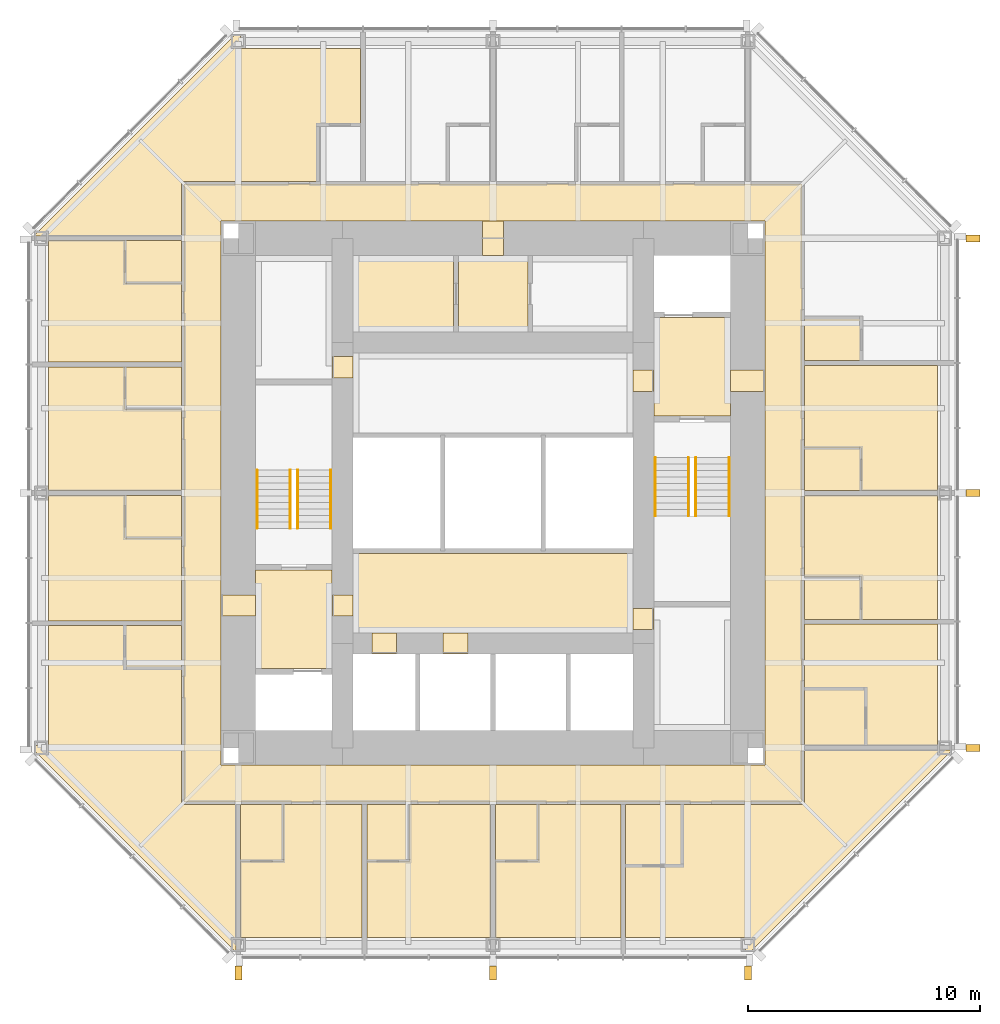
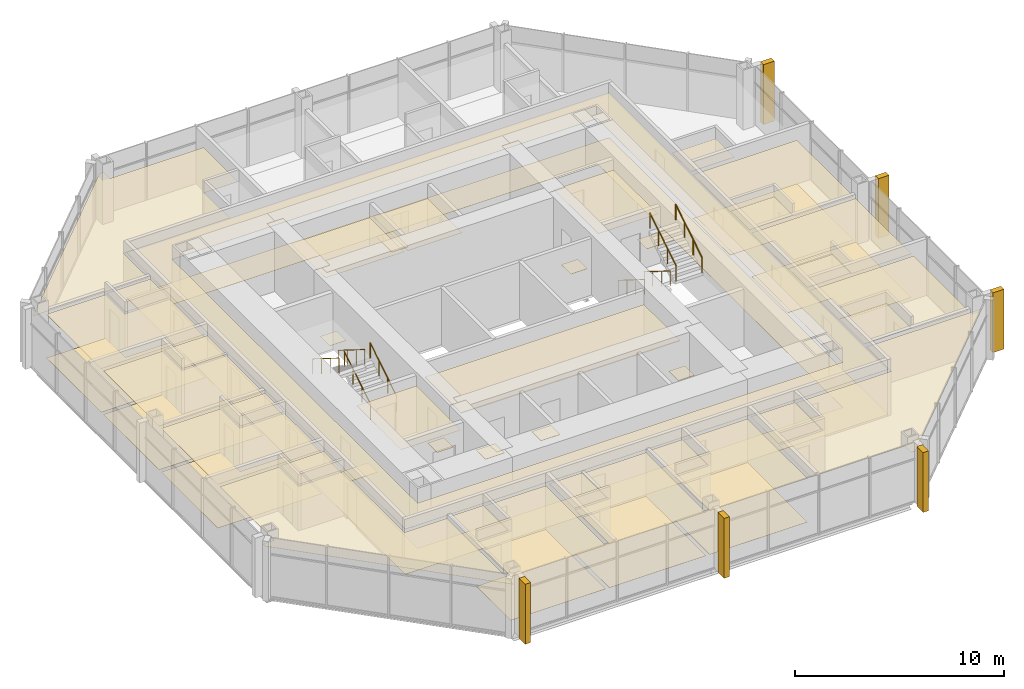
# One storey, part 11 of 12: 54 coverings, 8 railings.
"""IFC4 building model written with IfcOpenShell, lengths in metres."""

from ifc_helpers import new_model, si_unit, direction, frame, origin, origin_2d, place, context, subcontext, project, spatial, polyline, rectangle, circle, outline, extrude, material, layer, layer_set, type_object, element, save


model = new_model("IFC4")

# Units and contexts
model_context = context("Model", 3, precision=1e-05, world=origin(), true_north=direction((0.0, 1.0)))
body_context = subcontext(model_context, "Body", "Model", "MODEL_VIEW")
ifc_project = project(units=[si_unit("LENGTHUNIT", "METRE"), si_unit("AREAUNIT", "SQUARE_METRE"), si_unit("VOLUMEUNIT", "CUBIC_METRE"), si_unit("PLANEANGLEUNIT", "RADIAN"), si_unit("MASSUNIT", "GRAM", prefix="KILO")], contexts=[model_context])

# Site, building, storey
site_placement = place(None, origin())
site = spatial("IfcSite", under=ifc_project, at=site_placement, CompositionType="ELEMENT")
building_placement = place(site_placement, origin())
building = spatial("IfcBuilding", under=site, at=building_placement, Name="Trevanion Tower", CompositionType="ELEMENT")
storey_placement = place(building_placement, frame((0.0, 0.0, 197.699951171875)))
storey = spatial("IfcBuildingStorey", under=building, at=storey_placement, Name="L46", CompositionType="ELEMENT", Elevation=197.699951171875)

# Coverings
ifc_material_1 = material(Name="Fibrous plaster coffers on suspended steel grid", Category="steel")
ifc_layer_1 = layer(ifc_material_1, 0.050048828125)
ifc_layer_set_1 = layer_set([ifc_layer_1], Name="CL1 coffered fibrous plaster ceiling 50")
covering_type_1 = type_object("IfcCoveringType", Name="CL1 coffered fibrous plaster ceiling 50", PredefinedType="CEILING", material=ifc_layer_set_1)
covering_1_placement = place(storey_placement, frame((0.0, 0.0, 2.429931640625)))
element("IfcCovering", 1, at=covering_1_placement, inside=storey, type_object=covering_type_1, Name="CL1 L46-LBS", PredefinedType="CEILING", context=body_context, shape_type="SweptSolid", body=[
    extrude(outline(polyline([(6.050048828125, -6.050048828125), (6.050048828125, -2.60009765625), (-6.050048828125, -2.60009765625), (-6.050048828125, -6.050048828125), (6.050048828125, -6.050048828125)])), origin(), (0.0, 0.0, 1.0), 0.050048828125),
])
ifc_material_2 = material(Name="Mineral fibre acoustic tiles in exposed grid", Category="mineral fibre")
ifc_layer_2 = layer(ifc_material_2, 0.02001953125)
ifc_layer_set_2 = layer_set([ifc_layer_2], Name="CL2 acoustic tile ceiling 20")
covering_type_2 = type_object("IfcCoveringType", Name="CL2 acoustic tile ceiling 20", PredefinedType="CEILING", material=ifc_layer_set_2)
covering_2_placement = place(storey_placement, frame((0.0, 0.0, 2.4599609375)))
element("IfcCovering", 2, at=covering_2_placement, inside=storey, type_object=covering_type_2, Name="CL2 L46-HKC", PredefinedType="CEILING", context=body_context, shape_type="SweptSolid", body=[
    extrude(outline(polyline([(1.5, 6.949951171875), (1.5, 10.25), (-1.5, 10.25), (-1.5, 6.949951171875), (1.5, 6.949951171875)])), origin(), (0.0, 0.0, 1.0), 0.02001953125),
])
covering_3_placement = place(storey_placement, frame((0.0, 0.0, 2.633056640625)))
element("IfcCovering", 3, at=covering_3_placement, inside=storey, type_object=covering_type_2, Name="CL2 L46-CO", PredefinedType="CEILING", context=body_context, shape_type="SweptSolid", body=[
    extrude(outline(polyline([(-13.35009765625, -13.35009765625), (-13.35009765625, 13.35009765625), (13.35009765625, 13.35009765625), (13.35009765625, -13.35009765625), (-13.35009765625, -13.35009765625)]), holes=[polyline([(11.75, 11.75), (-11.75, 11.75), (-11.75, -11.75), (11.75, -11.75), (11.75, 11.75)])]), origin(), (0.0, 0.0, 1.0), 0.02001953125),
])
ifc_material_3 = material(Name="Gypsum plasterboard on suspended metal furring", Category="gypsum")
ifc_layer_3 = layer(ifc_material_3, 0.012939453125)
ifc_layer_set_3 = layer_set([ifc_layer_3], Name="CL3 plasterboard ceiling 13")
covering_type_3 = type_object("IfcCoveringType", Name="CL3 plasterboard ceiling 13", PredefinedType="CEILING", material=ifc_layer_set_3)
covering_4_placement = place(storey_placement, frame((0.0, 0.0, 2.699951171875)))
element("IfcCovering", 4, at=covering_4_placement, inside=storey, type_object=covering_type_3, Name="CL3 L46-FV1", PredefinedType="CEILING", context=body_context, shape_type="SweptSolid", body=[
    extrude(outline(polyline([(10.25, 3.324951171875), (10.25, 7.574951171875), (6.949951171875, 7.574951171875), (6.949951171875, 3.324951171875), (10.25, 3.324951171875)])), origin(), (0.0, 0.0, 1.0), 0.01318359375),
])
covering_5_placement = place(storey_placement, frame((0.0, 0.0, 2.699951171875)))
element("IfcCovering", 5, at=covering_5_placement, inside=storey, type_object=covering_type_3, Name="CL3 L46-FV2", PredefinedType="CEILING", context=body_context, shape_type="SweptSolid", body=[
    extrude(outline(polyline([(-10.25, -3.324951171875), (-10.25, -7.574951171875), (-6.949951171875, -7.574951171875), (-6.949951171875, -3.324951171875), (-10.25, -3.324951171875)])), origin(), (0.0, 0.0, 1.0), 0.01318359375),
])
covering_6_placement = place(storey_placement, frame((0.0, 0.0, 2.551025390625)))
element("IfcCovering", 6, at=covering_6_placement, inside=storey, type_object=covering_type_3, Name="CL3 L46-GA", PredefinedType="CEILING", context=body_context, shape_type="SweptSolid", body=[
    extrude(outline(polyline([(13.449951171875, -5.64892578125), (19.199951171875, -5.64892578125), (19.199951171875, -10.89990234375), (16.10009765625, -10.89990234375), (16.10009765625, -8.449951171875), (13.449951171875, -8.449951171875), (13.449951171875, -5.64892578125)])), origin(), (0.0, 0.0, 1.0), 0.012939453125),
])
covering_7_placement = place(storey_placement, frame((0.0, 0.0, 2.551025390625)))
element("IfcCovering", 7, at=covering_7_placement, inside=storey, type_object=covering_type_3, Name="CL3 L46-GR", PredefinedType="CEILING", context=body_context, shape_type="SweptSolid", body=[
    extrude(outline(polyline([(13.449951171875, -0.10009765625), (19.199951171875, -0.10009765625), (19.199951171875, -5.448974609375), (15.89990234375, -5.448974609375), (15.89990234375, -3.59912109375), (13.449951171875, -3.59912109375), (13.449951171875, -0.10009765625)])), origin(), (0.0, 0.0, 1.0), 0.012939453125),
])
covering_8_placement = place(storey_placement, frame((0.0, 0.0, 2.551025390625)))
element("IfcCovering", 8, at=covering_8_placement, inside=storey, type_object=covering_type_3, Name="CL3 L46-GR2", PredefinedType="CEILING", context=body_context, shape_type="SweptSolid", body=[
    extrude(outline(polyline([(13.449951171875, 5.513916015625), (19.199951171875, 5.513916015625), (19.199951171875, 0.10009765625), (15.89990234375, 0.10009765625), (15.89990234375, 1.949951171875), (13.449951171875, 1.949951171875), (13.449951171875, 5.513916015625)])), origin(), (0.0, 0.0, 1.0), 0.012939453125),
])
covering_9_placement = place(storey_placement, frame((0.0, 0.0, 2.551025390625)))
element("IfcCovering", 9, at=covering_9_placement, inside=storey, type_object=covering_type_3, Name="CL3 L46-GR7", PredefinedType="CEILING", context=body_context, shape_type="SweptSolid", body=[
    extrude(outline(polyline([(-13.449951171875, 11.10009765625), (-19.800048828125, 11.10009765625), (-19.800048828125, 11.124267578125), (-11.124267578125, 19.800048828125), (-10.89990234375, 19.800048828125), (-10.89990234375, 19.199951171875), (-5.714111328125, 19.199951171875), (-5.714111328125, 15.89990234375), (-7.56396484375, 15.89990234375), (-7.56396484375, 13.449951171875), (-13.449951171875, 13.449951171875), (-13.449951171875, 11.10009765625)])), origin(), (0.0, 0.0, 1.0), 0.012939453125),
])
covering_10_placement = place(storey_placement, frame((0.0, 0.0, 2.551025390625)))
element("IfcCovering", 10, at=covering_10_placement, inside=storey, type_object=covering_type_3, Name="CL3 L46-GR8", PredefinedType="CEILING", context=body_context, shape_type="SweptSolid", body=[
    extrude(outline(polyline([(-13.449951171875, 5.64892578125), (-19.199951171875, 5.64892578125), (-19.199951171875, 10.89990234375), (-15.89990234375, 10.89990234375), (-15.89990234375, 9.050048828125), (-13.449951171875, 9.050048828125), (-13.449951171875, 5.64892578125)])), origin(), (0.0, 0.0, 1.0), 0.012939453125),
])
covering_11_placement = place(storey_placement, frame((0.0, 0.0, 2.551025390625)))
element("IfcCovering", 11, at=covering_11_placement, inside=storey, type_object=covering_type_3, Name="CL3 L46-GR9", PredefinedType="CEILING", context=body_context, shape_type="SweptSolid", body=[
    extrude(outline(polyline([(-13.449951171875, 0.10009765625), (-19.199951171875, 0.10009765625), (-19.199951171875, 5.448974609375), (-15.89990234375, 5.448974609375), (-15.89990234375, 3.59912109375), (-13.449951171875, 3.59912109375), (-13.449951171875, 0.10009765625)])), origin(), (0.0, 0.0, 1.0), 0.012939453125),
])
covering_12_placement = place(storey_placement, frame((0.0, 0.0, 2.551025390625)))
element("IfcCovering", 12, at=covering_12_placement, inside=storey, type_object=covering_type_3, Name="CL3 L46-GR10", PredefinedType="CEILING", context=body_context, shape_type="SweptSolid", body=[
    extrude(outline(polyline([(-13.449951171875, -5.513916015625), (-19.199951171875, -5.513916015625), (-19.199951171875, -0.10009765625), (-15.89990234375, -0.10009765625), (-15.89990234375, -1.949951171875), (-13.449951171875, -1.949951171875), (-13.449951171875, -5.513916015625)])), origin(), (0.0, 0.0, 1.0), 0.012939453125),
])
covering_13_placement = place(storey_placement, frame((0.0, 0.0, 2.551025390625)))
element("IfcCovering", 13, at=covering_13_placement, inside=storey, type_object=covering_type_3, Name="CL3 L46-GR11", PredefinedType="CEILING", context=body_context, shape_type="SweptSolid", body=[
    extrude(outline(polyline([(-11.10009765625, -13.449951171875), (-11.10009765625, -19.800048828125), (-11.124267578125, -19.800048828125), (-19.800048828125, -11.124267578125), (-19.800048828125, -10.89990234375), (-19.199951171875, -10.89990234375), (-19.199951171875, -5.714111328125), (-15.89990234375, -5.714111328125), (-15.89990234375, -7.56396484375), (-13.449951171875, -7.56396484375), (-13.449951171875, -13.449951171875), (-11.10009765625, -13.449951171875)])), origin(), (0.0, 0.0, 1.0), 0.012939453125),
])
covering_14_placement = place(storey_placement, frame((0.0, 0.0, 2.551025390625)))
element("IfcCovering", 14, at=covering_14_placement, inside=storey, type_object=covering_type_3, Name="CL3 L46-GR12", PredefinedType="CEILING", context=body_context, shape_type="SweptSolid", body=[
    extrude(outline(polyline([(-5.64892578125, -13.449951171875), (-5.64892578125, -19.199951171875), (-10.89990234375, -19.199951171875), (-10.89990234375, -15.89990234375), (-9.050048828125, -15.89990234375), (-9.050048828125, -13.449951171875), (-5.64892578125, -13.449951171875)])), origin(), (0.0, 0.0, 1.0), 0.012939453125),
])
covering_15_placement = place(storey_placement, frame((0.0, 0.0, 2.551025390625)))
element("IfcCovering", 15, at=covering_15_placement, inside=storey, type_object=covering_type_3, Name="CL3 L46-GR13", PredefinedType="CEILING", context=body_context, shape_type="SweptSolid", body=[
    extrude(outline(polyline([(-0.10009765625, -13.449951171875), (-0.10009765625, -19.199951171875), (-5.448974609375, -19.199951171875), (-5.448974609375, -15.89990234375), (-3.59912109375, -15.89990234375), (-3.59912109375, -13.449951171875), (-0.10009765625, -13.449951171875)])), origin(), (0.0, 0.0, 1.0), 0.012939453125),
])
covering_16_placement = place(storey_placement, frame((0.0, 0.0, 2.551025390625)))
element("IfcCovering", 16, at=covering_16_placement, inside=storey, type_object=covering_type_3, Name="CL3 L46-GR14", PredefinedType="CEILING", context=body_context, shape_type="SweptSolid", body=[
    extrude(outline(polyline([(5.513916015625, -13.449951171875), (5.513916015625, -19.199951171875), (0.10009765625, -19.199951171875), (0.10009765625, -15.89990234375), (1.949951171875, -15.89990234375), (1.949951171875, -13.449951171875), (5.513916015625, -13.449951171875)])), origin(), (0.0, 0.0, 1.0), 0.012939453125),
])
covering_17_placement = place(storey_placement, frame((0.0, 0.0, 2.551025390625)))
element("IfcCovering", 17, at=covering_17_placement, inside=storey, type_object=covering_type_3, Name="CL3 L46-GA2", PredefinedType="CEILING", context=body_context, shape_type="SweptSolid", body=[
    extrude(outline(polyline([(13.449951171875, -11.10009765625), (19.800048828125, -11.10009765625), (19.800048828125, -11.124267578125), (11.124267578125, -19.800048828125), (10.89990234375, -19.800048828125), (10.89990234375, -19.199951171875), (5.714111328125, -19.199951171875), (5.714111328125, -16.10009765625), (8.1640625, -16.10009765625), (8.1640625, -13.449951171875), (13.449951171875, -13.449951171875), (13.449951171875, -11.10009765625)])), origin(), (0.0, 0.0, 1.0), 0.012939453125),
])
ifc_material_4 = material(Name="Moisture-resistant gypsum board on suspended metal furring", Category="gypsum")
ifc_layer_4 = layer(ifc_material_4, 0.01611328125)
ifc_layer_set_4 = layer_set([ifc_layer_4], Name="CL4 moisture-resistant board ceiling 16")
covering_type_4 = type_object("IfcCoveringType", Name="CL4 moisture-resistant board ceiling 16", PredefinedType="CEILING", material=ifc_layer_set_4)
covering_18_placement = place(storey_placement, frame((0.0, 0.0, 2.464111328125)))
element("IfcCovering", 18, at=covering_18_placement, inside=storey, type_object=covering_type_4, Name="CL4 L46-HK", PredefinedType="CEILING", context=body_context, shape_type="SweptSolid", body=[
    extrude(outline(polyline([(-1.699951171875, 6.949951171875), (-1.699951171875, 10.25), (-6.050048828125, 10.25), (-6.050048828125, 6.949951171875), (-1.699951171875, 6.949951171875)])), origin(), (0.0, 0.0, 1.0), 0.015869140625),
])
covering_19_placement = place(storey_placement, frame((0.0, 0.0, 2.60009765625)))
element("IfcCovering", 19, at=covering_19_placement, inside=storey, type_object=covering_type_4, Name="CL4 L46-EN", PredefinedType="CEILING", context=body_context, shape_type="SweptSolid", body=[
    extrude(outline(polyline([(16.050048828125, -10.89990234375), (16.050048828125, -8.5), (13.449951171875, -8.5), (13.449951171875, -10.89990234375), (16.050048828125, -10.89990234375)])), origin(), (0.0, 0.0, 1.0), 0.015869140625),
])
covering_20_placement = place(storey_placement, frame((0.0, 0.0, 2.60009765625)))
element("IfcCovering", 20, at=covering_20_placement, inside=storey, type_object=covering_type_4, Name="CL4 L46-EN2", PredefinedType="CEILING", context=body_context, shape_type="SweptSolid", body=[
    extrude(outline(polyline([(15.85009765625, -5.448974609375), (15.85009765625, -3.64892578125), (13.449951171875, -3.64892578125), (13.449951171875, -5.448974609375), (15.85009765625, -5.448974609375)])), origin(), (0.0, 0.0, 1.0), 0.015869140625),
])
covering_21_placement = place(storey_placement, frame((0.0, 0.0, 2.60009765625)))
element("IfcCovering", 21, at=covering_21_placement, inside=storey, type_object=covering_type_4, Name="CL4 L46-EN3", PredefinedType="CEILING", context=body_context, shape_type="SweptSolid", body=[
    extrude(outline(polyline([(15.85009765625, 0.10009765625), (15.85009765625, 1.89990234375), (13.449951171875, 1.89990234375), (13.449951171875, 0.10009765625), (15.85009765625, 0.10009765625)])), origin(), (0.0, 0.0, 1.0), 0.015869140625),
])
covering_22_placement = place(storey_placement, frame((0.0, 0.0, 2.60009765625)))
element("IfcCovering", 22, at=covering_22_placement, inside=storey, type_object=covering_type_4, Name="CL4 L46-EN4", PredefinedType="CEILING", context=body_context, shape_type="SweptSolid", body=[
    extrude(outline(polyline([(15.85009765625, 5.714111328125), (15.85009765625, 7.513916015625), (13.449951171875, 7.513916015625), (13.449951171875, 5.714111328125), (15.85009765625, 5.714111328125)])), origin(), (0.0, 0.0, 1.0), 0.015869140625),
])
covering_23_placement = place(storey_placement, frame((0.0, 0.0, 2.60009765625)))
element("IfcCovering", 23, at=covering_23_placement, inside=storey, type_object=covering_type_4, Name="CL4 L46-EN9", PredefinedType="CEILING", context=body_context, shape_type="SweptSolid", body=[
    extrude(outline(polyline([(-15.85009765625, 10.89990234375), (-15.85009765625, 9.10009765625), (-13.449951171875, 9.10009765625), (-13.449951171875, 10.89990234375), (-15.85009765625, 10.89990234375)])), origin(), (0.0, 0.0, 1.0), 0.015869140625),
])
covering_24_placement = place(storey_placement, frame((0.0, 0.0, 2.60009765625)))
element("IfcCovering", 24, at=covering_24_placement, inside=storey, type_object=covering_type_4, Name="CL4 L46-EN10", PredefinedType="CEILING", context=body_context, shape_type="SweptSolid", body=[
    extrude(outline(polyline([(-15.85009765625, 5.448974609375), (-15.85009765625, 3.64892578125), (-13.449951171875, 3.64892578125), (-13.449951171875, 5.448974609375), (-15.85009765625, 5.448974609375)])), origin(), (0.0, 0.0, 1.0), 0.015869140625),
])
covering_25_placement = place(storey_placement, frame((0.0, 0.0, 2.60009765625)))
element("IfcCovering", 25, at=covering_25_placement, inside=storey, type_object=covering_type_4, Name="CL4 L46-EN11", PredefinedType="CEILING", context=body_context, shape_type="SweptSolid", body=[
    extrude(outline(polyline([(-15.85009765625, -0.10009765625), (-15.85009765625, -1.89990234375), (-13.449951171875, -1.89990234375), (-13.449951171875, -0.10009765625), (-15.85009765625, -0.10009765625)])), origin(), (0.0, 0.0, 1.0), 0.015869140625),
])
covering_26_placement = place(storey_placement, frame((0.0, 0.0, 2.60009765625)))
element("IfcCovering", 26, at=covering_26_placement, inside=storey, type_object=covering_type_4, Name="CL4 L46-EN12", PredefinedType="CEILING", context=body_context, shape_type="SweptSolid", body=[
    extrude(outline(polyline([(-15.85009765625, -5.714111328125), (-15.85009765625, -7.513916015625), (-13.449951171875, -7.513916015625), (-13.449951171875, -5.714111328125), (-15.85009765625, -5.714111328125)])), origin(), (0.0, 0.0, 1.0), 0.015869140625),
])
covering_27_placement = place(storey_placement, frame((0.0, 0.0, 2.60009765625)))
element("IfcCovering", 27, at=covering_27_placement, inside=storey, type_object=covering_type_4, Name="CL4 L46-EN13", PredefinedType="CEILING", context=body_context, shape_type="SweptSolid", body=[
    extrude(outline(polyline([(-10.89990234375, -15.85009765625), (-9.10009765625, -15.85009765625), (-9.10009765625, -13.449951171875), (-10.89990234375, -13.449951171875), (-10.89990234375, -15.85009765625)])), origin(), (0.0, 0.0, 1.0), 0.015869140625),
])
covering_28_placement = place(storey_placement, frame((0.0, 0.0, 2.60009765625)))
element("IfcCovering", 28, at=covering_28_placement, inside=storey, type_object=covering_type_4, Name="CL4 L46-EN14", PredefinedType="CEILING", context=body_context, shape_type="SweptSolid", body=[
    extrude(outline(polyline([(-5.448974609375, -15.85009765625), (-3.64892578125, -15.85009765625), (-3.64892578125, -13.449951171875), (-5.448974609375, -13.449951171875), (-5.448974609375, -15.85009765625)])), origin(), (0.0, 0.0, 1.0), 0.015869140625),
])
covering_29_placement = place(storey_placement, frame((0.0, 0.0, 2.60009765625)))
element("IfcCovering", 29, at=covering_29_placement, inside=storey, type_object=covering_type_4, Name="CL4 L46-EN15", PredefinedType="CEILING", context=body_context, shape_type="SweptSolid", body=[
    extrude(outline(polyline([(0.10009765625, -15.85009765625), (1.89990234375, -15.85009765625), (1.89990234375, -13.449951171875), (0.10009765625, -13.449951171875), (0.10009765625, -15.85009765625)])), origin(), (0.0, 0.0, 1.0), 0.015869140625),
])
covering_30_placement = place(storey_placement, frame((0.0, 0.0, 2.60009765625)))
element("IfcCovering", 30, at=covering_30_placement, inside=storey, type_object=covering_type_4, Name="CL4 L46-EN16", PredefinedType="CEILING", context=body_context, shape_type="SweptSolid", body=[
    extrude(outline(polyline([(5.714111328125, -16.050048828125), (8.114013671875, -16.050048828125), (8.114013671875, -13.449951171875), (5.714111328125, -13.449951171875), (5.714111328125, -16.050048828125)])), origin(), (0.0, 0.0, 1.0), 0.015869140625),
])
ifc_material_5 = material(Name="Cast bronze fin on aluminium carrier", Category="aluminium")
covering_type_5 = type_object("IfcCoveringType", Name="F1 bronze fin", PredefinedType="CLADDING", material=ifc_material_5)
for number, where, z_axis, x_axis, name in (
    (31, (20.72509765625, -11.0, -0.18994140625), (0.0, 0.0, 1.0), (0.0, 1.0, 0.0), "F1 L46 east -11.0"),
    (32, (20.72509765625, 0.0, -0.18994140625), (0.0, 0.0, 1.0), (0.0, 1.0, 0.0), "F1 L46 east +0.0"),
    (33, (20.72509765625, 11.0, -0.18994140625), (0.0, 0.0, 1.0), (0.0, 1.0, 0.0), "F1 L46 east +11.0"),
    (34, (-11.0, -20.72509765625, -0.18994140625), (0.0, 0.0, 1.0), (1.0, 0.0, 0.0), "F1 L46 south -11.0"),
    (35, (0.0, -20.72509765625, -0.18994140625), (0.0, 0.0, 1.0), (1.0, 0.0, 0.0), "F1 L46 south +0.0"),
    (36, (11.0, -20.72509765625, -0.18994140625), (0.0, 0.0, 1.0), (1.0, 0.0, 0.0), "F1 L46 south +11.0"),
):
    element("IfcCovering", number, at=place(storey_placement, frame(where, z_axis=z_axis, x_axis=x_axis)), inside=storey, type_object=covering_type_5, Name=name, PredefinedType="CLADDING", context=body_context, shape_type="SweptSolid", body=[
        extrude(rectangle(XDim=0.300048828125, YDim=0.60009765625, at=origin_2d()), origin(), (0.0, 0.0, 1.0), 3.5),
    ])
ifc_material_6 = material(Name="Terrazzo, brass divider strips", Category="stone")
ifc_layer_5 = layer(ifc_material_6, 0.02001953125)
ifc_layer_set_5 = layer_set([ifc_layer_5], Name="FF1 terrazzo flooring")
covering_type_6 = type_object("IfcCoveringType", Name="FF1 terrazzo flooring", PredefinedType="FLOORING", material=ifc_layer_set_5)
covering_31_placement = place(storey_placement, origin())
element("IfcCovering", 37, at=covering_31_placement, inside=storey, type_object=covering_type_6, Name="FF1 threshold 46-001", PredefinedType="FLOORING", context=body_context, shape_type="SweptSolid", body=[
    extrude(outline(polyline([(11.75, 4.392578125), (11.75, 5.3076171875), (10.25, 5.3076171875), (10.25, 4.392578125), (11.75, 4.392578125)])), origin(), (0.0, 0.0, 1.0), 0.02001953125),
])
covering_32_placement = place(storey_placement, origin())
element("IfcCovering", 38, at=covering_32_placement, inside=storey, type_object=covering_type_6, Name="FF1 threshold 46-002", PredefinedType="FLOORING", context=body_context, shape_type="SweptSolid", body=[
    extrude(outline(polyline([(-11.75, -4.392578125), (-11.75, -5.3076171875), (-10.25, -5.3076171875), (-10.25, -4.392578125), (-11.75, -4.392578125)])), origin(), (0.0, 0.0, 1.0), 0.02001953125),
])
covering_33_placement = place(storey_placement, origin())
element("IfcCovering", 39, at=covering_33_placement, inside=storey, type_object=covering_type_6, Name="FF1 threshold 46-003", PredefinedType="FLOORING", context=body_context, shape_type="SweptSolid", body=[
    extrude(outline(polyline([(6.949951171875, 4.392578125), (6.949951171875, 5.3076171875), (6.050048828125, 5.3076171875), (6.050048828125, 4.392578125), (6.949951171875, 4.392578125)])), origin(), (0.0, 0.0, 1.0), 0.02001953125),
])
covering_34_placement = place(storey_placement, origin())
element("IfcCovering", 40, at=covering_34_placement, inside=storey, type_object=covering_type_6, Name="FF1 threshold 46-004", PredefinedType="FLOORING", context=body_context, shape_type="SweptSolid", body=[
    extrude(outline(polyline([(-6.949951171875, -4.392578125), (-6.949951171875, -5.3076171875), (-6.050048828125, -5.3076171875), (-6.050048828125, -4.392578125), (-6.949951171875, -4.392578125)])), origin(), (0.0, 0.0, 1.0), 0.02001953125),
])
covering_35_placement = place(storey_placement, origin())
element("IfcCovering", 41, at=covering_35_placement, inside=storey, type_object=covering_type_6, Name="FF1 threshold 46-009", PredefinedType="FLOORING", context=body_context, shape_type="SweptSolid", body=[
    extrude(outline(polyline([(6.949951171875, -5.889892578125), (6.949951171875, -4.97509765625), (6.050048828125, -4.97509765625), (6.050048828125, -5.889892578125), (6.949951171875, -5.889892578125)])), origin(), (0.0, 0.0, 1.0), 0.02001953125),
])
covering_36_placement = place(storey_placement, origin())
element("IfcCovering", 42, at=covering_36_placement, inside=storey, type_object=covering_type_6, Name="FF1 threshold 46-010", PredefinedType="FLOORING", context=body_context, shape_type="SweptSolid", body=[
    extrude(outline(polyline([(-6.949951171875, 5.889892578125), (-6.949951171875, 4.97509765625), (-6.050048828125, 4.97509765625), (-6.050048828125, 5.889892578125), (-6.949951171875, 5.889892578125)])), origin(), (0.0, 0.0, 1.0), 0.02001953125),
])
covering_37_placement = place(storey_placement, origin())
element("IfcCovering", 43, at=covering_37_placement, inside=storey, type_object=covering_type_6, Name="FF1 threshold 46-011", PredefinedType="FLOORING", context=body_context, shape_type="SweptSolid", body=[
    extrude(outline(polyline([(-5.2333984375, -6.949951171875), (-4.16650390625, -6.949951171875), (-4.16650390625, -6.050048828125), (-5.2333984375, -6.050048828125), (-5.2333984375, -6.949951171875)])), origin(), (0.0, 0.0, 1.0), 0.02001953125),
])
covering_38_placement = place(storey_placement, origin())
element("IfcCovering", 44, at=covering_38_placement, inside=storey, type_object=covering_type_6, Name="FF1 threshold 46-012", PredefinedType="FLOORING", context=body_context, shape_type="SweptSolid", body=[
    extrude(outline(polyline([(-2.158447265625, -6.949951171875), (-1.091552734375, -6.949951171875), (-1.091552734375, -6.050048828125), (-2.158447265625, -6.050048828125), (-2.158447265625, -6.949951171875)])), origin(), (0.0, 0.0, 1.0), 0.02001953125),
])
covering_39_placement = place(storey_placement, origin())
element("IfcCovering", 45, at=covering_39_placement, inside=storey, type_object=covering_type_6, Name="FF1 threshold 46-013", PredefinedType="FLOORING", context=body_context, shape_type="SweptSolid", body=[
    extrude(outline(polyline([(0.45751953125, 11.75), (-0.45751953125, 11.75), (-0.45751953125, 10.25), (0.45751953125, 10.25), (0.45751953125, 11.75)])), origin(), (0.0, 0.0, 1.0), 0.02001953125),
])
ifc_material_7 = material(Name="Wool carpet on underlay", Category="textile")
ifc_layer_6 = layer(ifc_material_7, 0.011962890625)
ifc_layer_set_6 = layer_set([ifc_layer_6], Name="FF2 carpet flooring")
covering_type_7 = type_object("IfcCoveringType", Name="FF2 carpet flooring", PredefinedType="FLOORING", material=ifc_layer_set_6)
covering_40_placement = place(storey_placement, origin())
element("IfcCovering", 46, at=covering_40_placement, inside=storey, type_object=covering_type_7, Name="FF2 L46-CO", PredefinedType="FLOORING", context=body_context, shape_type="SweptSolid", body=[
    extrude(outline(polyline([(-13.35009765625, -13.35009765625), (-13.35009765625, 13.35009765625), (13.35009765625, 13.35009765625), (13.35009765625, -13.35009765625), (-13.35009765625, -13.35009765625)]), holes=[polyline([(11.75, 11.75), (-11.75, 11.75), (-11.75, -11.75), (11.75, -11.75), (11.75, 11.75)])]), origin(), (0.0, 0.0, 1.0), 0.011962890625),
])
covering_41_placement = place(storey_placement, origin())
element("IfcCovering", 47, at=covering_41_placement, inside=storey, type_object=covering_type_7, Name="FF2 L46-GR", PredefinedType="FLOORING", context=body_context, shape_type="SweptSolid", body=[
    extrude(outline(polyline([(13.449951171875, -0.10009765625), (19.199951171875, -0.10009765625), (19.199951171875, -5.448974609375), (15.89990234375, -5.448974609375), (15.89990234375, -3.59912109375), (13.449951171875, -3.59912109375), (13.449951171875, -0.10009765625)])), origin(), (0.0, 0.0, 1.0), 0.011962890625),
])
covering_42_placement = place(storey_placement, origin())
element("IfcCovering", 48, at=covering_42_placement, inside=storey, type_object=covering_type_7, Name="FF2 L46-GR2", PredefinedType="FLOORING", context=body_context, shape_type="SweptSolid", body=[
    extrude(outline(polyline([(13.449951171875, 5.513916015625), (19.199951171875, 5.513916015625), (19.199951171875, 0.10009765625), (15.89990234375, 0.10009765625), (15.89990234375, 1.949951171875), (13.449951171875, 1.949951171875), (13.449951171875, 5.513916015625)])), origin(), (0.0, 0.0, 1.0), 0.011962890625),
])
covering_43_placement = place(storey_placement, origin())
element("IfcCovering", 49, at=covering_43_placement, inside=storey, type_object=covering_type_7, Name="FF2 L46-GR8", PredefinedType="FLOORING", context=body_context, shape_type="SweptSolid", body=[
    extrude(outline(polyline([(-13.449951171875, 5.64892578125), (-19.199951171875, 5.64892578125), (-19.199951171875, 10.89990234375), (-15.89990234375, 10.89990234375), (-15.89990234375, 9.050048828125), (-13.449951171875, 9.050048828125), (-13.449951171875, 5.64892578125)])), origin(), (0.0, 0.0, 1.0), 0.011962890625),
])
covering_44_placement = place(storey_placement, origin())
element("IfcCovering", 50, at=covering_44_placement, inside=storey, type_object=covering_type_7, Name="FF2 L46-GR9", PredefinedType="FLOORING", context=body_context, shape_type="SweptSolid", body=[
    extrude(outline(polyline([(-13.449951171875, 0.10009765625), (-19.199951171875, 0.10009765625), (-19.199951171875, 5.448974609375), (-15.89990234375, 5.448974609375), (-15.89990234375, 3.59912109375), (-13.449951171875, 3.59912109375), (-13.449951171875, 0.10009765625)])), origin(), (0.0, 0.0, 1.0), 0.011962890625),
])
covering_45_placement = place(storey_placement, origin())
element("IfcCovering", 51, at=covering_45_placement, inside=storey, type_object=covering_type_7, Name="FF2 L46-GR10", PredefinedType="FLOORING", context=body_context, shape_type="SweptSolid", body=[
    extrude(outline(polyline([(-13.449951171875, -5.513916015625), (-19.199951171875, -5.513916015625), (-19.199951171875, -0.10009765625), (-15.89990234375, -0.10009765625), (-15.89990234375, -1.949951171875), (-13.449951171875, -1.949951171875), (-13.449951171875, -5.513916015625)])), origin(), (0.0, 0.0, 1.0), 0.011962890625),
])
covering_46_placement = place(storey_placement, origin())
element("IfcCovering", 52, at=covering_46_placement, inside=storey, type_object=covering_type_7, Name="FF2 L46-GR12", PredefinedType="FLOORING", context=body_context, shape_type="SweptSolid", body=[
    extrude(outline(polyline([(-5.64892578125, -13.449951171875), (-5.64892578125, -19.199951171875), (-10.89990234375, -19.199951171875), (-10.89990234375, -15.89990234375), (-9.050048828125, -15.89990234375), (-9.050048828125, -13.449951171875), (-5.64892578125, -13.449951171875)])), origin(), (0.0, 0.0, 1.0), 0.011962890625),
])
covering_47_placement = place(storey_placement, origin())
element("IfcCovering", 53, at=covering_47_placement, inside=storey, type_object=covering_type_7, Name="FF2 L46-GR13", PredefinedType="FLOORING", context=body_context, shape_type="SweptSolid", body=[
    extrude(outline(polyline([(-0.10009765625, -13.449951171875), (-0.10009765625, -19.199951171875), (-5.448974609375, -19.199951171875), (-5.448974609375, -15.89990234375), (-3.59912109375, -15.89990234375), (-3.59912109375, -13.449951171875), (-0.10009765625, -13.449951171875)])), origin(), (0.0, 0.0, 1.0), 0.011962890625),
])
covering_48_placement = place(storey_placement, origin())
element("IfcCovering", 54, at=covering_48_placement, inside=storey, type_object=covering_type_7, Name="FF2 L46-GR14", PredefinedType="FLOORING", context=body_context, shape_type="SweptSolid", body=[
    extrude(outline(polyline([(5.513916015625, -13.449951171875), (5.513916015625, -19.199951171875), (0.10009765625, -19.199951171875), (0.10009765625, -15.89990234375), (1.949951171875, -15.89990234375), (1.949951171875, -13.449951171875), (5.513916015625, -13.449951171875)])), origin(), (0.0, 0.0, 1.0), 0.011962890625),
])

# Railings
ifc_material_8 = material(Name="Stainless steel tube 40 mm", Category="steel")
railing_type = type_object("IfcRailingType", Name="HR1 handrail", PredefinedType="HANDRAIL", material=ifc_material_8)
for number, where, name in (
    (55, (7.010009765625, 1.52490234375, 0.175048828125), "HR1 ST1 L46 flight 1"),
    (56, (8.43994140625, 1.52490234375, 0.175048828125), "HR1 ST1 L46 flight 1"),
):
    element("IfcRailing", number, at=place(storey_placement, frame(where)), inside=storey, type_object=railing_type, Name=name, PredefinedType="HANDRAIL", context=body_context, shape_type="SweptSolid", body=[
        extrude(circle(Radius=0.02001953125, at=origin_2d()), frame((0.0, 0.0, 0.8798828125), z_axis=(0.0, -0.848007534815, 0.529984170421), x_axis=(1.0, 0.0, 0.0)), (0.0, 0.0, 1.0), 2.9716796875),
        extrude(circle(Radius=0.01513671875, at=origin_2d()), origin(), (0.0, 0.0, 1.0), 0.85986328125),
        extrude(circle(Radius=0.01513671875, at=origin_2d()), frame((0.0, -0.840087890625, 0.52490234375)), (0.0, 0.0, 1.0), 0.85986328125),
        extrude(circle(Radius=0.01513671875, at=origin_2d()), frame((0.0, -1.679931640625, 1.050048828125)), (0.0, 0.0, 1.0), 0.85986328125),
        extrude(circle(Radius=0.01513671875, at=origin_2d()), frame((0.0, -2.52001953125, 1.574951171875)), (0.0, 0.0, 1.0), 0.85986328125),
    ])
for number, where, name in (
    (57, (8.760009765625, -0.9951171875, 1.925048828125), "HR1 ST1 L46 flight 2"),
    (58, (10.18994140625, -0.9951171875, 1.925048828125), "HR1 ST1 L46 flight 2"),
    (59, (-7.010009765625, -1.52490234375, 0.175048828125), "HR1 ST2 L46 flight 1"),
    (60, (-8.43994140625, -1.52490234375, 0.175048828125), "HR1 ST2 L46 flight 1"),
):
    element("IfcRailing", number, at=place(storey_placement, frame(where)), inside=storey, type_object=railing_type, Name=name, PredefinedType="HANDRAIL", context=body_context, shape_type="SweptSolid", body=[
        extrude(circle(Radius=0.02001953125, at=origin_2d()), frame((0.0, 0.0, 0.8798828125), z_axis=(0.0, 0.848007534815, 0.529984170421), x_axis=(-1.0, 0.0, 0.0)), (0.0, 0.0, 1.0), 2.9716796875),
        extrude(circle(Radius=0.01513671875, at=origin_2d()), origin(), (0.0, 0.0, 1.0), 0.85986328125),
        extrude(circle(Radius=0.01513671875, at=origin_2d()), frame((0.0, 0.840087890625, 0.52490234375)), (0.0, 0.0, 1.0), 0.85986328125),
        extrude(circle(Radius=0.01513671875, at=origin_2d()), frame((0.0, 1.679931640625, 1.050048828125)), (0.0, 0.0, 1.0), 0.85986328125),
        extrude(circle(Radius=0.01513671875, at=origin_2d()), frame((0.0, 2.52001953125, 1.574951171875)), (0.0, 0.0, 1.0), 0.85986328125),
    ])
for number, where, name in (
    (61, (-8.760009765625, 0.9951171875, 1.925048828125), "HR1 ST2 L46 flight 2"),
    (62, (-10.18994140625, 0.9951171875, 1.925048828125), "HR1 ST2 L46 flight 2"),
):
    element("IfcRailing", number, at=place(storey_placement, frame(where)), inside=storey, type_object=railing_type, Name=name, PredefinedType="HANDRAIL", context=body_context, shape_type="SweptSolid", body=[
        extrude(circle(Radius=0.02001953125, at=origin_2d()), frame((0.0, 0.0, 0.8798828125), z_axis=(0.0, -0.848007534815, 0.529984170421), x_axis=(1.0, 0.0, 0.0)), (0.0, 0.0, 1.0), 2.9716796875),
        extrude(circle(Radius=0.01513671875, at=origin_2d()), origin(), (0.0, 0.0, 1.0), 0.85986328125),
        extrude(circle(Radius=0.01513671875, at=origin_2d()), frame((0.0, -0.840087890625, 0.52490234375)), (0.0, 0.0, 1.0), 0.85986328125),
        extrude(circle(Radius=0.01513671875, at=origin_2d()), frame((0.0, -1.679931640625, 1.050048828125)), (0.0, 0.0, 1.0), 0.85986328125),
        extrude(circle(Radius=0.01513671875, at=origin_2d()), frame((0.0, -2.52001953125, 1.574951171875)), (0.0, 0.0, 1.0), 0.85986328125),
    ])

save(model, "model.ifc")
